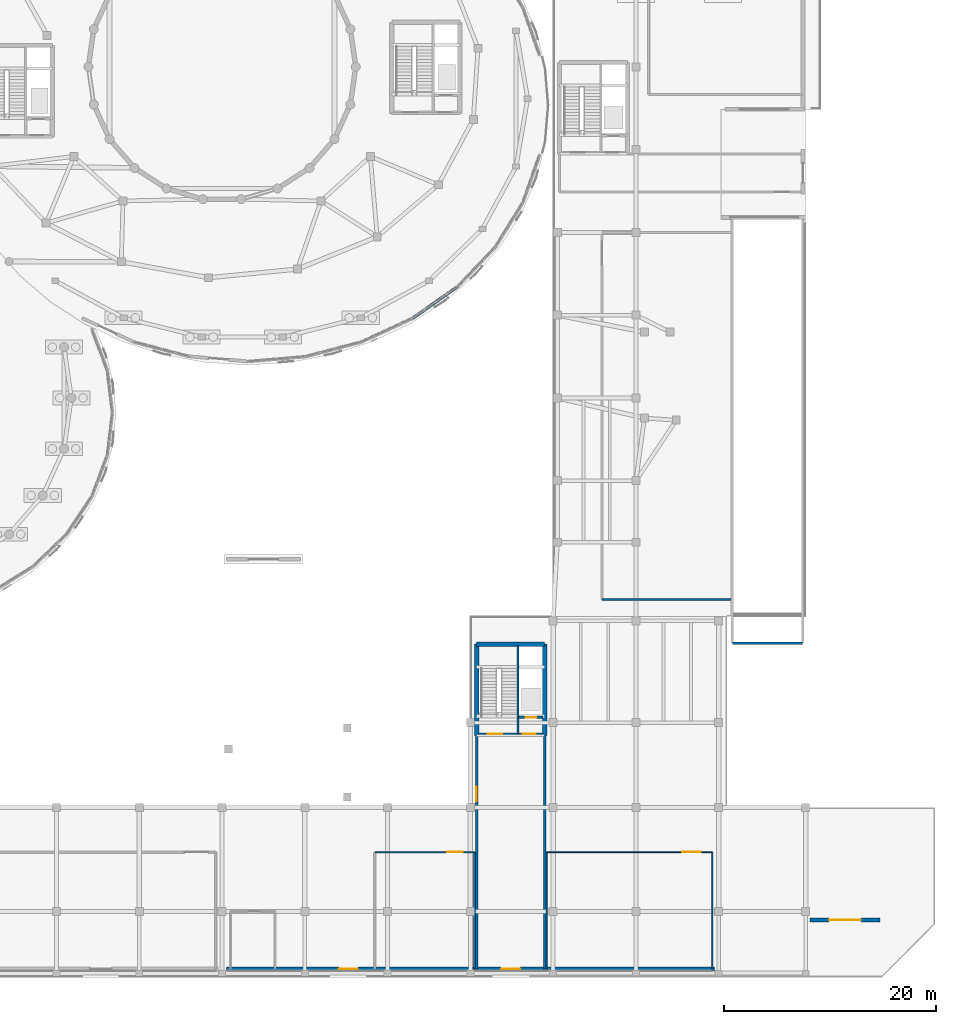
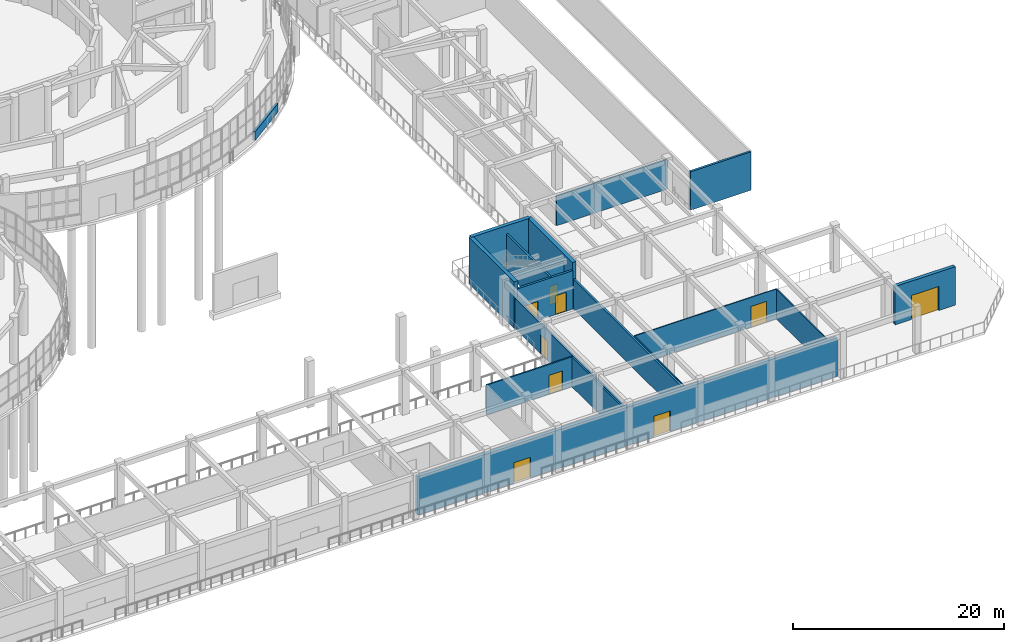
# One storey, part 77 of 96: 18 walls, 9 doors, 9 openings.
"""IFC4 building model written with IfcOpenShell, lengths in metres."""

from ifc_helpers import new_model, si_unit, direction, frame, frame_2d, origin, place, context, subcontext, project, spatial, rectangle, extrude, material, layer, layer_set, type_object, element, fill, save


model = new_model("IFC4")

# Units and contexts
model_context = context("Model", 3, precision=1e-05, world=origin(), true_north=direction((0.0, 1.0)))
body_context = subcontext(model_context, "Body", "Model", "MODEL_VIEW")
ifc_project = project(units=[si_unit("LENGTHUNIT", "METRE"), si_unit("AREAUNIT", "SQUARE_METRE"), si_unit("VOLUMEUNIT", "CUBIC_METRE"), si_unit("PLANEANGLEUNIT", "RADIAN"), si_unit("MASSUNIT", "GRAM", prefix="KILO")], contexts=[model_context])

# Site, building, storey
site_placement = place(None, origin())
site = spatial("IfcSite", under=ifc_project, at=site_placement, CompositionType="ELEMENT")
building_placement = place(site_placement, origin())
building = spatial("IfcBuilding", under=site, at=building_placement, Name="Pelvatis Terrace Science Centre", CompositionType="ELEMENT")
storey_placement = place(building_placement, origin())
storey = spatial("IfcBuildingStorey", under=building, at=storey_placement, Name="L00", CompositionType="ELEMENT", Elevation=0.0)

# Wall, openings, doors
ifc_material_1 = material(Name="Polished black Uruguayan granite masonry", Category="masonry")
ifc_layer_1 = layer(ifc_material_1, 0.364990234375)
ifc_layer_set_1 = layer_set([ifc_layer_1], Name="Polished black Uruguayan granite masonry")
wall_type_1 = type_object("IfcWallType", Name="WL-EXT-GRAN-365", PredefinedType="SOLIDWALL", material=ifc_layer_set_1)
wall_1_placement = place(storey_placement, frame((155.60009765625, 0.800048828125, 0.0), z_axis=(0.0, 0.0, 1.0), x_axis=(-1.0, 0.0, 0.0)))
wall_1 = element("IfcWall", 1, at=wall_1_placement, inside=storey, type_object=wall_type_1, Name="L00 exterior wall EW-L00-S4", PredefinedType="SOLIDWALL", context=body_context, shape_type="SweptSolid", body=[
    extrude(rectangle(XDim=46.0, YDim=0.364990234375, at=frame_2d((23.0, 0.0))), origin(), (0.0, 0.0, 1.0), 4.4599609375),
])
opening_1_placement = place(wall_1_placement, frame((33.60009765625, 0.0, 0.0)))
opening_1 = element("IfcOpeningElement", 2, at=opening_1_placement, cuts=wall_1, Name="Opening D-007", PredefinedType="OPENING", context=body_context, shape_type="SweptSolid", body=[
    extrude(rectangle(XDim=1.800048828125, YDim=2.39990234375, at=frame_2d((0.89990234375, 1.199951171875))), frame((0.0, 0.1923828125, 0.0), z_axis=(0.0, -1.0, 0.0), x_axis=(1.0, 0.0, 0.0)), (0.0, 0.0, 1.0), 0.385009765625),
])
opening_2_placement = place(wall_1_placement, frame((18.300048828125, 0.0, 0.0)))
opening_2 = element("IfcOpeningElement", 3, at=opening_2_placement, cuts=wall_1, Name="Opening D-008", PredefinedType="OPENING", context=body_context, shape_type="SweptSolid", body=[
    extrude(rectangle(XDim=1.800048828125, YDim=2.39990234375, at=frame_2d((0.89990234375, 1.199951171875))), frame((0.0, 0.1923828125, 0.0), z_axis=(0.0, -1.0, 0.0), x_axis=(1.0, 0.0, 0.0)), (0.0, 0.0, 1.0), 0.385009765625),
])
ifc_material_2 = material(Name="Bronze-framed glazed double exit door", Category="glass")
door_type_1 = type_object("IfcDoorType", Name="DR-EXT-1800x2400", OperationType="NOTDEFINED", PredefinedType="DOOR", material=ifc_material_2)
door_1_placement = place(opening_1_placement, origin())
door_1 = element("IfcDoor", 4, at=door_1_placement, inside=storey, type_object=door_type_1, Name="School bus foyer exit door D-007", OperationType="DOUBLE_DOOR_SINGLE_SWING", OverallHeight=2.39990234375, OverallWidth=1.800048828125, PredefinedType="DOOR", context=body_context, shape_type="SweptSolid", body=[
    extrude(rectangle(XDim=1.800048828125, YDim=2.39990234375, at=frame_2d((0.89990234375, 1.199951171875))), frame((0.0, 0.02490234375, 0.0), z_axis=(0.0, -1.0, 0.0), x_axis=(1.0, 0.0, 0.0)), (0.0, 0.0, 1.0), 0.050048828125),
])
fill(opening_1, door_1)
door_2_placement = place(opening_2_placement, origin())
door_2 = element("IfcDoor", 5, at=door_2_placement, inside=storey, type_object=door_type_1, Name="School orientation exit door D-008", OperationType="DOUBLE_DOOR_SINGLE_SWING", OverallHeight=2.39990234375, OverallWidth=1.800048828125, PredefinedType="DOOR", context=body_context, shape_type="SweptSolid", body=[
    extrude(rectangle(XDim=1.800048828125, YDim=2.39990234375, at=frame_2d((0.89990234375, 1.199951171875))), frame((0.0, 0.02490234375, 0.0), z_axis=(0.0, -1.0, 0.0), x_axis=(1.0, 0.0, 0.0)), (0.0, 0.0, 1.0), 0.050048828125),
])
fill(opening_2, door_2)

# Wall, opening, door
wall_2_placement = place(storey_placement, frame((171.199951171875, 5.39990234375, 0.0), z_axis=(0.0, 0.0, 1.0), x_axis=(-1.0, 0.0, 0.0)))
wall_2 = element("IfcWall", 6, at=wall_2_placement, inside=storey, type_object=wall_type_1, Name="L00 exterior wall EW-L00-BUSGATE", PredefinedType="SOLIDWALL", context=body_context, shape_type="SweptSolid", body=[
    extrude(rectangle(XDim=6.599853515625, YDim=0.364990234375, at=frame_2d((3.2998046875, 0.0))), origin(), (0.0, 0.0, 1.0), 4.4599609375),
])
opening_3_placement = place(wall_2_placement, frame((1.800048828125, 0.0, 0.0)))
opening_3 = element("IfcOpeningElement", 7, at=opening_3_placement, cuts=wall_2, Name="Opening G-003", PredefinedType="OPENING", context=body_context, shape_type="SweptSolid", body=[
    extrude(rectangle(XDim=3.0, YDim=2.800048828125, at=frame_2d((1.5, 1.39990234375))), frame((0.0, 0.1923828125, 0.0), z_axis=(0.0, -1.0, 0.0), x_axis=(1.0, 0.0, 0.0)), (0.0, 0.0, 1.0), 0.385009765625),
])
ifc_material_3 = material(Name="Bronze colonnade school entry security gate", Category="aluminium")
door_type_2 = type_object("IfcDoorType", Name="GT-BUS-3000x2800", OperationType="NOTDEFINED", PredefinedType="GATE", material=ifc_material_3)
door_3_placement = place(opening_3_placement, origin())
door_3 = element("IfcDoor", 8, at=door_3_placement, inside=storey, type_object=door_type_2, Name="Colonnade school court gate G-003", OperationType="DOUBLE_DOOR_SINGLE_SWING", OverallHeight=2.800048828125, OverallWidth=3.0, PredefinedType="GATE", context=body_context, shape_type="SweptSolid", body=[
    extrude(rectangle(XDim=3.0, YDim=2.800048828125, at=frame_2d((1.5, 1.39990234375))), frame((0.0, 0.02490234375, 0.0), z_axis=(0.0, -1.0, 0.0), x_axis=(1.0, 0.0, 0.0)), (0.0, 0.0, 1.0), 0.050048828125),
])
fill(opening_3, door_3)

# Walls
ifc_material_4 = material(Name="White architectural precast concrete C40/50 spandrel", Category="concrete")
ifc_layer_2 = layer(ifc_material_4, 0.27490234375)
ifc_layer_set_2 = layer_set([ifc_layer_2], Name="White architectural precast concrete C40/50 spandrel")
wall_type_2 = type_object("IfcWallType", Name="WL-EXT-SPND-275", PredefinedType="SOLIDWALL", material=ifc_layer_set_2)
wall_3_placement = place(storey_placement, frame((127.18359375, 62.1201171875, 0.0), z_axis=(0.0, 0.0, 1.0), x_axis=(0.816727290364, 0.57702385841, 0.0)))
element("IfcWall", 9, at=wall_3_placement, inside=storey, type_object=wall_type_2, Name="V1 white spiral spandrel band 28 (L00)", PredefinedType="SOLIDWALL", context=body_context, shape_type="SweptSolid", body=[
    extrude(rectangle(XDim=5.20458984375, YDim=0.27490234375, at=frame_2d((2.602294921875, 0.0))), origin(), (0.0, 0.0, 1.0), 1.02001953125),
])
ifc_material_5 = material(Name="Masonry laboratory fire wall", Category="masonry")
ifc_layer_3 = layer(ifc_material_5, 0.18994140625)
ifc_layer_set_3 = layer_set([ifc_layer_3], Name="Masonry laboratory fire wall")
wall_type_3 = type_object("IfcWallType", Name="WL-INT-COMP-190", PredefinedType="PARTITIONING", material=ifc_layer_set_3)
wall_4_placement = place(storey_placement, frame((145.0, 35.60009765625, 0.0), z_axis=(0.0, 0.0, 1.0), x_axis=(1.0, 0.0, 0.0)))
element("IfcWall", 10, at=wall_4_placement, inside=storey, type_object=wall_type_3, Name="Exhibit Uncrating, Acclimatisation and Staging Room partition wall S", PredefinedType="PARTITIONING", context=body_context, shape_type="SweptSolid", body=[
    extrude(rectangle(XDim=12.14990234375, YDim=0.18994140625, at=frame_2d((6.074951171875, 0.0))), origin(), (0.0, 0.0, 1.0), 3.449951171875),
])
ifc_material_6 = material(Name="Concrete C35/45 shaft dividing wall", Category="concrete")
ifc_layer_4 = layer(ifc_material_6, 0.2099609375)
ifc_layer_set_4 = layer_set([ifc_layer_4], Name="Concrete C35/45 shaft dividing wall")
wall_type_4 = type_object("IfcWallType", Name="WL-INT-CORE-210", PredefinedType="PARTITIONING", material=ifc_layer_set_4)
wall_5_placement = place(storey_placement, frame((137.10009765625, 22.949951171875, 0.0), z_axis=(0.0, 0.0, 1.0), x_axis=(0.0, 1.0, 0.0)))
element("IfcWall", 11, at=wall_5_placement, inside=storey, type_object=wall_type_4, Name="Core C4 stair-lift shaft fire wall (L00)", PredefinedType="PARTITIONING", context=body_context, shape_type="SweptSolid", body=[
    extrude(rectangle(XDim=8.300048828125, YDim=0.2099609375, at=frame_2d((4.14990234375, 0.0))), origin(), (0.0, 0.0, 1.0), 4.4599609375),
])
wall_6_placement = place(storey_placement, frame((139.60009765625, 0.800048828125, 0.0), z_axis=(0.0, 0.0, 1.0), x_axis=(0.0, 1.0, 0.0)))
element("IfcWall", 12, at=wall_6_placement, inside=storey, type_object=wall_type_4, Name="Core C4 Protected Exit Discharge Lobby partition wall E", PredefinedType="PARTITIONING", context=body_context, shape_type="SweptSolid", body=[
    extrude(rectangle(XDim=22.0, YDim=0.2099609375, at=frame_2d((11.0, 0.0))), origin(), (0.0, 0.0, 1.0), 3.449951171875),
])

# Wall, opening, door
wall_7_placement = place(storey_placement, frame((133.199951171875, 0.800048828125, 0.0), z_axis=(0.0, 0.0, 1.0), x_axis=(0.0, 1.0, 0.0)))
wall_7 = element("IfcWall", 13, at=wall_7_placement, inside=storey, type_object=wall_type_4, Name="Core C4 Protected Exit Discharge Lobby partition wall W", PredefinedType="PARTITIONING", context=body_context, shape_type="SweptSolid", body=[
    extrude(rectangle(XDim=22.0, YDim=0.2099609375, at=frame_2d((11.0, 0.0))), origin(), (0.0, 0.0, 1.0), 3.449951171875),
])
opening_4_placement = place(wall_7_placement, frame((15.800048828125, 0.0, 0.0)))
opening_4 = element("IfcOpeningElement", 14, at=opening_4_placement, cuts=wall_7, Name="Opening D-182", PredefinedType="OPENING", context=body_context, shape_type="SweptSolid", body=[
    extrude(rectangle(XDim=1.35009765625, YDim=2.199951171875, at=frame_2d((0.675048828125, 1.10009765625))), frame((0.0, 0.114990234375, 0.0), z_axis=(0.0, -1.0, 0.0), x_axis=(1.0, 0.0, 0.0)), (0.0, 0.0, 1.0), 0.22998046875),
])
ifc_material_7 = material(Name="Steel fire-rated protected stair door", Category="steel")
door_type_3 = type_object("IfcDoorType", Name="DR-STAIR-1350x2200", OperationType="NOTDEFINED", PredefinedType="DOOR", material=ifc_material_7)
door_4_placement = place(opening_4_placement, origin())
door_4 = element("IfcDoor", 15, at=door_4_placement, inside=storey, type_object=door_type_3, Name="Core C4 Protected Exit Discharge Lobby entrance door", OperationType="SINGLE_SWING_LEFT", OverallHeight=2.199951171875, OverallWidth=1.35009765625, PredefinedType="DOOR", context=body_context, shape_type="SweptSolid", body=[
    extrude(rectangle(XDim=1.35009765625, YDim=2.199951171875, at=frame_2d((0.675048828125, 1.10009765625))), frame((0.0, 0.02490234375, 0.0), z_axis=(0.0, -1.0, 0.0), x_axis=(1.0, 0.0, 0.0)), (0.0, 0.0, 1.0), 0.050048828125),
])
fill(opening_4, door_4)

ifc_material_8 = material(Name="Concrete C35/45 stair enclosure wall", Category="concrete")
ifc_layer_5 = layer(ifc_material_8, 0.22509765625)
ifc_layer_set_5 = layer_set([ifc_layer_5], Name="Concrete C35/45 stair enclosure wall")
wall_type_5 = type_object("IfcWallType", Name="WL-INT-CORE-225", PredefinedType="PARTITIONING", material=ifc_layer_set_5)
wall_8_placement = place(storey_placement, frame((137.14990234375, 24.5, 0.0), z_axis=(0.0, 0.0, 1.0), x_axis=(1.0, 0.0, 0.0)))
wall_8 = element("IfcWall", 16, at=wall_8_placement, inside=storey, type_object=wall_type_5, Name="Core C4 lift shaft landing wall (L00)", PredefinedType="PARTITIONING", context=body_context, shape_type="SweptSolid", body=[
    extrude(rectangle(XDim=2.300048828125, YDim=0.22509765625, at=frame_2d((1.14990234375, 0.0))), origin(), (0.0, 0.0, 1.0), 4.4599609375),
])
opening_5_placement = place(wall_8_placement, frame((0.64990234375, 0.0, 0.0)))
opening_5 = element("IfcOpeningElement", 17, at=opening_5_placement, cuts=wall_8, Name="Opening LD-C4-2", PredefinedType="OPENING", context=body_context, shape_type="SweptSolid", body=[
    extrude(rectangle(XDim=1.0, YDim=2.14990234375, at=frame_2d((0.5, 1.074951171875))), frame((0.0, 0.12255859375, 0.0), z_axis=(0.0, -1.0, 0.0), x_axis=(1.0, 0.0, 0.0)), (0.0, 0.0, 1.0), 0.2451171875),
])
ifc_material_9 = material(Name="Bronze-clad sliding passenger lift landing door", Category="steel")
door_type_4 = type_object("IfcDoorType", Name="DR-LIFT-1000x2150", OperationType="NOTDEFINED", PredefinedType="DOOR", material=ifc_material_9)
door_5_placement = place(opening_5_placement, origin())
door_5 = element("IfcDoor", 18, at=door_5_placement, inside=storey, type_object=door_type_4, Name="Lift LF-06 sliding landing door (L00)", OperationType="SLIDING_TO_RIGHT", OverallHeight=2.14990234375, OverallWidth=1.0, PredefinedType="DOOR", context=body_context, shape_type="SweptSolid", body=[
    extrude(rectangle(XDim=1.0, YDim=2.14990234375, at=frame_2d((0.5, 1.074951171875))), frame((0.0, 0.02490234375, 0.0), z_axis=(0.0, -1.0, 0.0), x_axis=(1.0, 0.0, 0.0)), (0.0, 0.0, 1.0), 0.050048828125),
])
fill(opening_5, door_5)

# Wall
wall_9_placement = place(storey_placement, frame((157.280029296875, 31.47998046875, 0.0), z_axis=(0.0, 0.0, 1.0), x_axis=(1.0, 0.0, 0.0)))
element("IfcWall", 19, at=wall_9_placement, inside=storey, type_object=wall_type_5, Name="Vehicle ramp shaft enclosure wall S", PredefinedType="PARTITIONING", context=body_context, shape_type="SweptSolid", body=[
    extrude(rectangle(XDim=6.639892578125, YDim=0.22509765625, at=frame_2d((3.31982421875, 0.0))), origin(), (0.0, 0.0, 1.0), 4.4599609375),
])

# Wall, openings, doors
ifc_material_10 = material(Name="Concrete C35/45 shaft enclosure wall", Category="concrete")
ifc_layer_6 = layer(ifc_material_10, 0.239990234375)
ifc_layer_set_6 = layer_set([ifc_layer_6], Name="Concrete C35/45 shaft enclosure wall")
wall_type_6 = type_object("IfcWallType", Name="WL-INT-CORE-240", PredefinedType="PARTITIONING", material=ifc_layer_set_6)
wall_10_placement = place(storey_placement, frame((133.35009765625, 22.919921875, 0.0), z_axis=(0.0, 0.0, 1.0), x_axis=(1.0, 0.0, 0.0)))
wall_10 = element("IfcWall", 20, at=wall_10_placement, inside=storey, type_object=wall_type_6, Name="Core C4 fire-rated lobby wall (L00)", PredefinedType="PARTITIONING", context=body_context, shape_type="SweptSolid", body=[
    extrude(rectangle(XDim=6.099853515625, YDim=0.239990234375, at=frame_2d((3.0498046875, 0.0))), origin(), (0.0, 0.0, 1.0), 4.4599609375),
])
opening_6_placement = place(wall_10_placement, frame((0.89990234375, 0.0, 0.0)))
opening_6 = element("IfcOpeningElement", 21, at=opening_6_placement, cuts=wall_10, Name="Opening D-143", PredefinedType="OPENING", context=body_context, shape_type="SweptSolid", body=[
    extrude(rectangle(XDim=1.35009765625, YDim=2.199951171875, at=frame_2d((0.675048828125, 1.10009765625))), frame((0.0, 0.1298828125, 0.0), z_axis=(0.0, -1.0, 0.0), x_axis=(1.0, 0.0, 0.0)), (0.0, 0.0, 1.0), 0.260009765625),
])
opening_7_placement = place(wall_10_placement, frame((4.199951171875, 0.0, 0.0)))
opening_7 = element("IfcOpeningElement", 22, at=opening_7_placement, cuts=wall_10, Name="Opening D-144", PredefinedType="OPENING", context=body_context, shape_type="SweptSolid", body=[
    extrude(rectangle(XDim=1.199951171875, YDim=2.199951171875, at=frame_2d((0.60009765625, 1.10009765625))), frame((0.0, 0.1298828125, 0.0), z_axis=(0.0, -1.0, 0.0), x_axis=(1.0, 0.0, 0.0)), (0.0, 0.0, 1.0), 0.260009765625),
])
ifc_material_11 = material(Name="Steel fire-rated exit stair door", Category="steel")
door_type_5 = type_object("IfcDoorType", Name="DR-STAIR-1200x2200", OperationType="NOTDEFINED", PredefinedType="DOOR", material=ifc_material_11)
door_6_placement = place(opening_7_placement, origin())
door_6 = element("IfcDoor", 23, at=door_6_placement, inside=storey, type_object=door_type_5, Name="Core C4 lift lobby fire door (L00)", OperationType="SINGLE_SWING_LEFT", OverallHeight=2.199951171875, OverallWidth=1.199951171875, PredefinedType="DOOR", context=body_context, shape_type="SweptSolid", body=[
    extrude(rectangle(XDim=1.199951171875, YDim=2.199951171875, at=frame_2d((0.60009765625, 1.10009765625))), frame((0.0, 0.02490234375, 0.0), z_axis=(0.0, -1.0, 0.0), x_axis=(1.0, 0.0, 0.0)), (0.0, 0.0, 1.0), 0.050048828125),
])
fill(opening_7, door_6)
door_7_placement = place(opening_6_placement, origin())
door_7 = element("IfcDoor", 24, at=door_7_placement, inside=storey, type_object=door_type_3, Name="Core C4 protected stair fire door (L00)", OperationType="SINGLE_SWING_RIGHT", OverallHeight=2.199951171875, OverallWidth=1.35009765625, PredefinedType="DOOR", context=body_context, shape_type="SweptSolid", body=[
    extrude(rectangle(XDim=1.35009765625, YDim=2.199951171875, at=frame_2d((0.675048828125, 1.10009765625))), frame((0.0, 0.02490234375, 0.0), z_axis=(0.0, -1.0, 0.0), x_axis=(1.0, 0.0, 0.0)), (0.0, 0.0, 1.0), 0.050048828125),
])
fill(opening_6, door_7)

# Wall
ifc_material_12 = material(Name="Alcove display partition", Category="masonry")
ifc_layer_7 = layer(ifc_material_12, 0.110107421875)
ifc_layer_set_7 = layer_set([ifc_layer_7], Name="Alcove display partition")
wall_type_7 = type_object("IfcWallType", Name="WL-INT-GAL-110", PredefinedType="PARTITIONING", material=ifc_layer_set_7)
wall_11_placement = place(storey_placement, frame((155.39990234375, 0.800048828125, 0.0), z_axis=(0.0, 0.0, 1.0), x_axis=(0.0, 1.0, 0.0)))
element("IfcWall", 25, at=wall_11_placement, inside=storey, type_object=wall_type_7, Name="School Group Bus Arrival and Orientation Foyer partition wall E", PredefinedType="PARTITIONING", context=body_context, shape_type="SweptSolid", body=[
    extrude(rectangle(XDim=11.0, YDim=0.110107421875, at=frame_2d((5.5, 0.0))), origin(), (0.0, 0.0, 1.0), 3.449951171875),
])

# Wall, opening, door
ifc_material_13 = material(Name="Framed acoustic glass seminar screen", Category="glass")
ifc_layer_8 = layer(ifc_material_13, 0.10498046875)
ifc_layer_set_8 = layer_set([ifc_layer_8], Name="Framed acoustic glass seminar screen")
wall_type_8 = type_object("IfcWallType", Name="WL-INT-GLZ-105", PredefinedType="PARTITIONING", material=ifc_layer_set_8)
wall_12_placement = place(storey_placement, frame((155.39990234375, 11.800048828125, 0.0), z_axis=(0.0, 0.0, 1.0), x_axis=(-1.0, 0.0, 0.0)))
wall_12 = element("IfcWall", 26, at=wall_12_placement, inside=storey, type_object=wall_type_8, Name="School Group Bus Arrival and Orientation Foyer partition wall N", PredefinedType="PARTITIONING", context=body_context, shape_type="SweptSolid", body=[
    extrude(rectangle(XDim=15.599853515625, YDim=0.10498046875, at=frame_2d((7.7998046875, 0.0))), origin(), (0.0, 0.0, 1.0), 3.449951171875),
])
opening_8_placement = place(wall_12_placement, frame((1.10205078125, 0.0, 0.0)))
opening_8 = element("IfcOpeningElement", 27, at=opening_8_placement, cuts=wall_12, Name="Opening D-178", PredefinedType="OPENING", context=body_context, shape_type="SweptSolid", body=[
    extrude(rectangle(XDim=1.75, YDim=2.39990234375, at=frame_2d((0.875, 1.199951171875))), frame((0.0, 0.0625, 0.0), z_axis=(0.0, -1.0, 0.0), x_axis=(1.0, 0.0, 0.0)), (0.0, 0.0, 1.0), 0.125),
])
ifc_material_14 = material(Name="Frameless laminated glass bookshop entrance door", Category="glass")
door_type_6 = type_object("IfcDoorType", Name="DR-SHOP-1750x2400", OperationType="NOTDEFINED", PredefinedType="DOOR", material=ifc_material_14)
door_8_placement = place(opening_8_placement, origin())
door_8 = element("IfcDoor", 28, at=door_8_placement, inside=storey, type_object=door_type_6, Name="School Group Bus Arrival and Orientation Foyer entrance door", OperationType="DOUBLE_DOOR_SINGLE_SWING", OverallHeight=2.39990234375, OverallWidth=1.75, PredefinedType="DOOR", context=body_context, shape_type="SweptSolid", body=[
    extrude(rectangle(XDim=1.75, YDim=2.39990234375, at=frame_2d((0.875, 1.199951171875))), frame((0.0, 0.02490234375, 0.0), z_axis=(0.0, -1.0, 0.0), x_axis=(1.0, 0.0, 0.0)), (0.0, 0.0, 1.0), 0.050048828125),
])
fill(opening_8, door_8)

# Walls
wall_13_placement = place(storey_placement, frame((139.800048828125, 11.800048828125, 0.0), z_axis=(0.0, 0.0, 1.0), x_axis=(0.0, -1.0, 0.0)))
element("IfcWall", 29, at=wall_13_placement, inside=storey, type_object=wall_type_8, Name="School Group Bus Arrival and Orientation Foyer partition wall W", PredefinedType="PARTITIONING", context=body_context, shape_type="SweptSolid", body=[
    extrude(rectangle(XDim=11.0, YDim=0.10498046875, at=frame_2d((5.5, 0.0))), origin(), (0.0, 0.0, 1.0), 3.449951171875),
])
ifc_material_15 = material(Name="Dry studio acoustic partition", Category="masonry")
ifc_layer_9 = layer(ifc_material_15, 0.1650390625)
ifc_layer_set_9 = layer_set([ifc_layer_9], Name="Dry studio acoustic partition")
wall_type_9 = type_object("IfcWallType", Name="WL-INT-LAB-165", PredefinedType="PARTITIONING", material=ifc_layer_set_9)
wall_14_placement = place(storey_placement, frame((133.0, 0.800048828125, 0.0), z_axis=(0.0, 0.0, 1.0), x_axis=(0.0, 1.0, 0.0)))
element("IfcWall", 30, at=wall_14_placement, inside=storey, type_object=wall_type_9, Name="School Science Orientation Studio partition wall E", PredefinedType="PARTITIONING", context=body_context, shape_type="SweptSolid", body=[
    extrude(rectangle(XDim=11.0, YDim=0.1650390625, at=frame_2d((5.5, 0.0))), origin(), (0.0, 0.0, 1.0), 3.449951171875),
])

# Wall, opening, door
wall_15_placement = place(storey_placement, frame((133.0, 11.800048828125, 0.0), z_axis=(0.0, 0.0, 1.0), x_axis=(-1.0, 0.0, 0.0)))
wall_15 = element("IfcWall", 31, at=wall_15_placement, inside=storey, type_object=wall_type_9, Name="School Science Orientation Studio partition wall N", PredefinedType="PARTITIONING", context=body_context, shape_type="SweptSolid", body=[
    extrude(rectangle(XDim=9.39990234375, YDim=0.1650390625, at=frame_2d((4.699951171875, 0.0))), origin(), (0.0, 0.0, 1.0), 3.449951171875),
])
opening_9_placement = place(wall_15_placement, frame((1.113037109375, 0.0, 0.0)))
opening_9 = element("IfcOpeningElement", 32, at=opening_9_placement, cuts=wall_15, Name="Opening D-179", PredefinedType="OPENING", context=body_context, shape_type="SweptSolid", body=[
    extrude(rectangle(XDim=1.449951171875, YDim=2.199951171875, at=frame_2d((0.72509765625, 1.10009765625))), frame((0.0, 0.092529296875, 0.0), z_axis=(0.0, -1.0, 0.0), x_axis=(1.0, 0.0, 0.0)), (0.0, 0.0, 1.0), 0.18505859375),
])
ifc_material_16 = material(Name="Leaf-and-a-half dry studio door", Category="wood")
door_type_7 = type_object("IfcDoorType", Name="DR-LAB-1450x2200", OperationType="NOTDEFINED", PredefinedType="DOOR", material=ifc_material_16)
door_9_placement = place(opening_9_placement, origin())
door_9 = element("IfcDoor", 33, at=door_9_placement, inside=storey, type_object=door_type_7, Name="School Science Orientation Studio entrance door", OperationType="SINGLE_SWING_RIGHT", OverallHeight=2.199951171875, OverallWidth=1.449951171875, PredefinedType="DOOR", context=body_context, shape_type="SweptSolid", body=[
    extrude(rectangle(XDim=1.449951171875, YDim=2.199951171875, at=frame_2d((0.72509765625, 1.10009765625))), frame((0.0, 0.02490234375, 0.0), z_axis=(0.0, -1.0, 0.0), x_axis=(1.0, 0.0, 0.0)), (0.0, 0.0, 1.0), 0.050048828125),
])
fill(opening_9, door_9)

# Walls
ifc_material_17 = material(Name="Concrete C40/50", Category="concrete")
ifc_layer_10 = layer(ifc_material_17, 0.39990234375)
ifc_layer_set_10 = layer_set([ifc_layer_10], Name="Concrete C40/50")
wall_type_10 = type_object("IfcWallType", Name="WL-SHR-400", PredefinedType="SHEAR", material=ifc_layer_set_10)
wall_16_placement = place(storey_placement, frame((133.199951171875, 31.39990234375, 0.0), z_axis=(0.0, 0.0, 1.0), x_axis=(1.0, 0.0, 0.0)))
element("IfcWall", 34, at=wall_16_placement, inside=storey, type_object=wall_type_10, Name="Core C4 shear wall N (L00)", PredefinedType="SHEAR", context=body_context, shape_type="SweptSolid", body=[
    extrude(rectangle(XDim=6.400146484375, YDim=0.39990234375, at=frame_2d((3.2001953125, 0.0))), origin(), (0.0, 0.0, 1.0), 5.39990234375),
])
for number, where, z_axis, x_axis, name in (
    (35, (133.199951171875, 22.800048828125, 0.0), (0.0, 0.0, 1.0), (0.0, 1.0, 0.0), "Core C4 shear wall W (L00)"),
    (36, (139.60009765625, 22.800048828125, 0.0), (0.0, 0.0, 1.0), (0.0, 1.0, 0.0), "Core C4 shear wall E (L00)"),
):
    element("IfcWall", number, at=place(storey_placement, frame(where, z_axis=z_axis, x_axis=x_axis)), inside=storey, type_object=wall_type_10, Name=name, PredefinedType="SHEAR", context=body_context, shape_type="SweptSolid", body=[
        extrude(rectangle(XDim=8.599853515625, YDim=0.39990234375, at=frame_2d((4.2998046875, 0.0))), origin(), (0.0, 0.0, 1.0), 5.39990234375),
    ])

save(model, "model.ifc")
